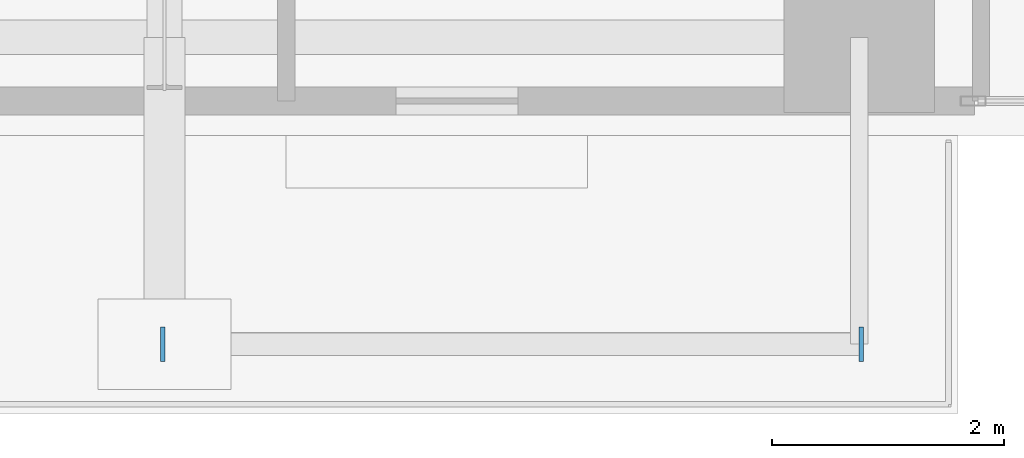
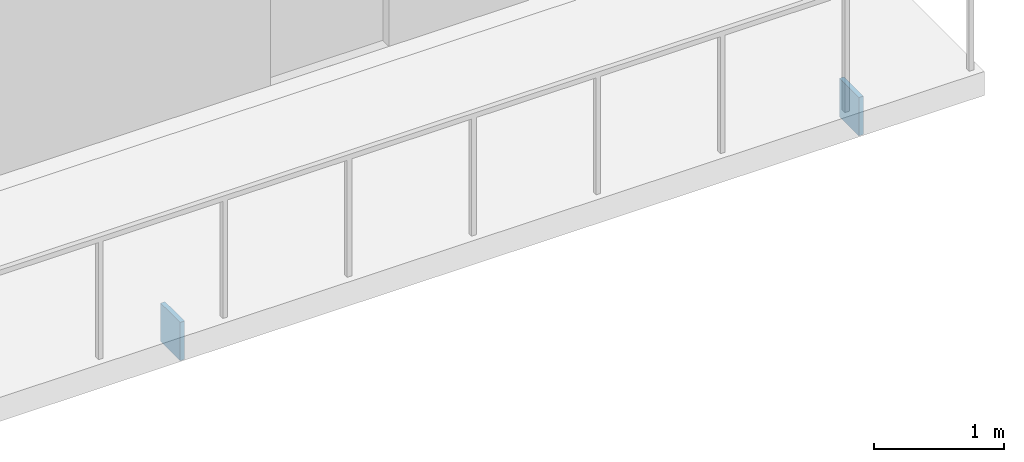
# One storey, part 19 of 27: 2 plates.
"""IFC4 building model written with IfcOpenShell, lengths in metres."""

from ifc_helpers import new_model, si_unit, direction, frame, origin, origin_2d, place, context, subcontext, project, spatial, rectangle, extrude, material, layer, layer_set, type_object, element, save


model = new_model("IFC4")

# Units and contexts
model_context = context("Model", 3, precision=1e-05, world=origin(), true_north=direction((0.0, 1.0)))
body_context = subcontext(model_context, "Body", "Model", "MODEL_VIEW")
ifc_project = project(units=[si_unit("LENGTHUNIT", "METRE"), si_unit("AREAUNIT", "SQUARE_METRE"), si_unit("VOLUMEUNIT", "CUBIC_METRE"), si_unit("PLANEANGLEUNIT", "RADIAN"), si_unit("MASSUNIT", "GRAM", prefix="KILO"), si_unit("THERMODYNAMICTEMPERATUREUNIT", "KELVIN"), si_unit("POWERUNIT", "WATT")], contexts=[model_context])

# Site, building, storey
site_placement = place(None, origin())
site = spatial("IfcSite", under=ifc_project, at=site_placement, CompositionType="ELEMENT")
building_placement = place(site_placement, origin())
building = spatial("IfcBuilding", under=site, at=building_placement, Name="Svarakhadi Broadcast Tower", CompositionType="ELEMENT")
storey_placement = place(building_placement, frame((0.0, 0.0, 55.800048828125)))
storey = spatial("IfcBuildingStorey", under=building, at=storey_placement, Name="L12", CompositionType="ELEMENT", Elevation=55.800048828125)

# Plates
ifc_material = material(Name="Steel S460ML (IS 2062 E450BR)", Category="steel")
ifc_layer = layer(ifc_material, 0.028076171875)
ifc_layer_set = layer_set([ifc_layer], Name="Steel S460ML (IS 2062 E450BR)")
plate_type = type_object("IfcPlateType", Name="Cap_Plate_CP02", PredefinedType="USERDEFINED", material=ifc_layer_set)
for number, where, z_axis, x_axis, name in (
    (1, (41.135009765625, -1.800048828125, -0.580078125), (0.0, 0.0, 1.0), (1.0, 0.0, 0.0), "L12 Balcony Spandrel End Cap Plate 1F-A"),
    (2, (47.1650390625, -1.800048828125, -0.580078125), (0.0, 0.0, 1.0), (1.0, 0.0, 0.0), "L12 Balcony Spandrel End Cap Plate 1F-B"),
):
    element("IfcPlate", number, at=place(storey_placement, frame(where, z_axis=z_axis, x_axis=x_axis)), inside=storey, type_object=plate_type, Name=name, ObjectType="FLANGE_PLATE", PredefinedType="USERDEFINED", context=body_context, shape_type="SweptSolid", body=[
        extrude(rectangle(XDim=0.0400390625, YDim=0.300048828125, at=origin_2d()), origin(), (0.0, 0.0, 1.0), 0.360107421875),
    ])

save(model, "model.ifc")
